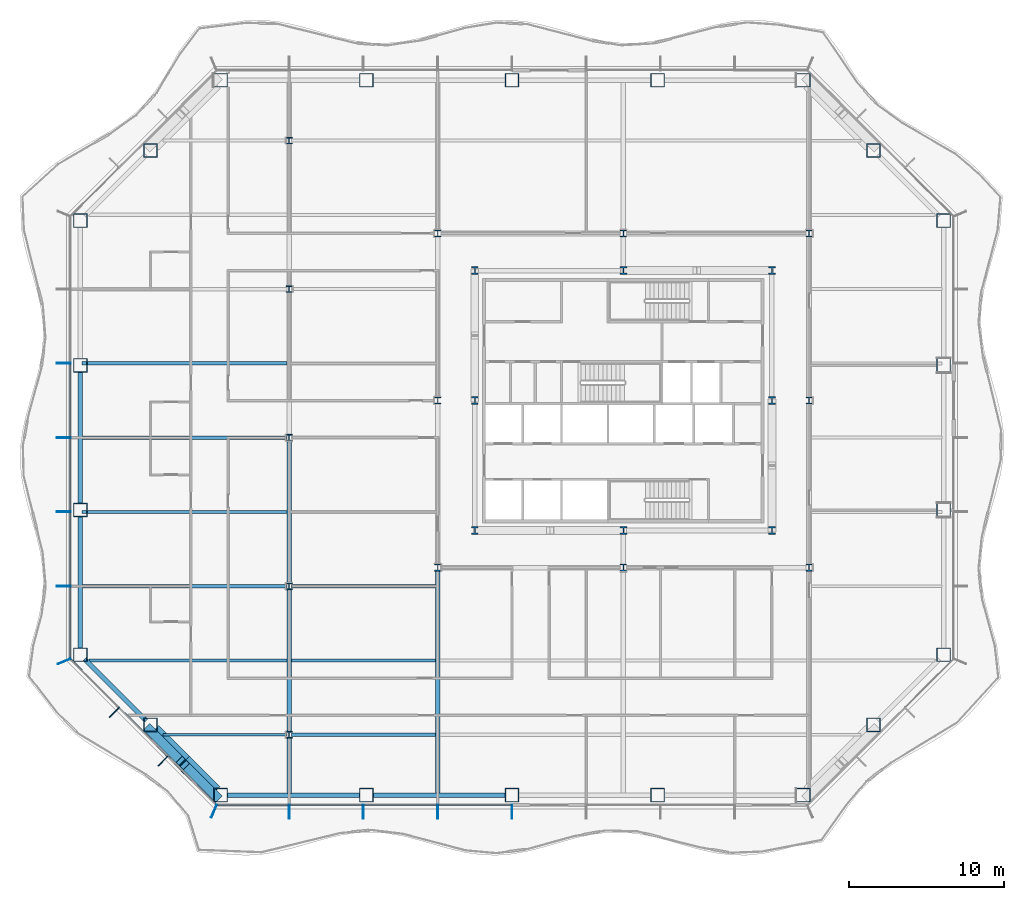
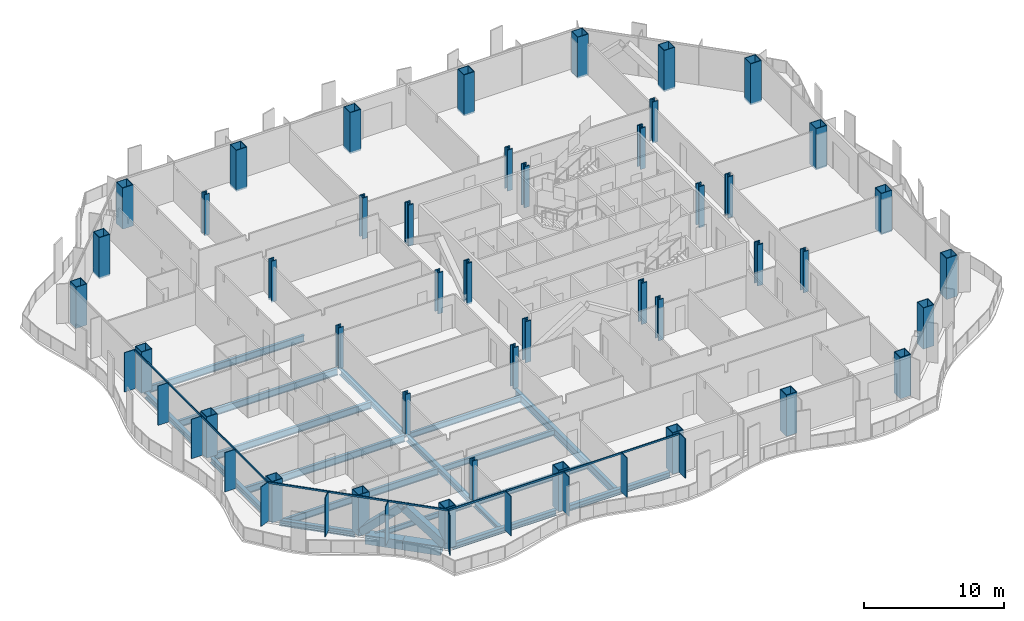
# One storey, part 1 of 18: 43 columns, 25 members, 20 beams, 3 elements without a shape of their own.
"""IFC4 building model written with IfcOpenShell, lengths in metres."""

from ifc_helpers import new_model, si_unit, direction, frame, origin, origin_2d, place, context, subcontext, project, spatial, rectangle, hollow_rectangle, i_section, extrude, material, material_profile, profile_set, type_object, element, aggregate, save


model = new_model("IFC4")

# Units and contexts
model_context = context("Model", 3, precision=1e-05, world=origin(), true_north=direction((0.0, 1.0)))
body_context = subcontext(model_context, "Body", "Model", "MODEL_VIEW")
ifc_project = project(units=[si_unit("LENGTHUNIT", "METRE"), si_unit("AREAUNIT", "SQUARE_METRE"), si_unit("VOLUMEUNIT", "CUBIC_METRE"), si_unit("PLANEANGLEUNIT", "RADIAN"), si_unit("MASSUNIT", "GRAM", prefix="KILO")], contexts=[model_context])

# Site, building, storey
site_placement = place(None, origin())
site = spatial("IfcSite", under=ifc_project, at=site_placement, CompositionType="ELEMENT")
building_placement = place(site_placement, origin())
building = spatial("IfcBuilding", under=site, at=building_placement, Name="Cairn Pilgrim Tower", CompositionType="ELEMENT")
storey_placement = place(building_placement, frame((0.0, 0.0, 76.199951171875)))
storey = spatial("IfcBuildingStorey", under=building, at=storey_placement, Name="L17", CompositionType="ELEMENT", Elevation=76.199951171875)

# Columns
ifc_material_1 = material(Name="Structural steel S460M", Category="steel")
ifc_material_profile_1 = material_profile(ifc_material_1, hollow_rectangle(XDim=0.89990234375, YDim=0.89990234375, WallThickness=0.050048828125, at=origin_2d()), Name="BOX 900x900x50")
ifc_profile_set_1 = profile_set([ifc_material_profile_1], Name="Structural steel S460M")
column_type_1 = type_object("IfcColumnType", Name="BOX 900x900x50", PredefinedType="COLUMN", material=ifc_profile_set_1)
for number, where, z_axis, x_axis, name in (
    (1, (-18.8271484375, -23.10009765625, -0.14990234375), (0.0, 0.0, 1.0), (1.0, 0.0, 0.0), "PC1-S1"),
    (2, (-9.41357421875, -23.10009765625, -0.14990234375), (0.0, 0.0, 1.0), (1.0, 0.0, 0.0), "PC1-S2"),
    (3, (0.0, -23.10009765625, -0.14990234375), (0.0, 0.0, 1.0), (1.0, 0.0, 0.0), "PC1-S3"),
    (4, (9.41357421875, -23.10009765625, -0.14990234375), (0.0, 0.0, 1.0), (1.0, 0.0, 0.0), "PC1-S4"),
    (5, (18.8271484375, -23.10009765625, -0.14990234375), (0.0, 0.0, 1.0), (1.0, 0.0, 0.0), "PC1-SE1"),
    (6, (23.363525390625, -18.563720703125, -0.14990234375), (0.0, 0.0, 1.0), (1.0, 0.0, 0.0), "PC1-SE2"),
    (7, (27.89990234375, -14.027099609375, -0.14990234375), (0.0, 0.0, 1.0), (1.0, 0.0, 0.0), "PC1-E1"),
    (8, (27.89990234375, -4.67578125, -0.14990234375), (0.0, 0.0, 1.0), (1.0, 0.0, 0.0), "PC1-E2"),
    (9, (27.89990234375, 4.67578125, -0.14990234375), (0.0, 0.0, 1.0), (1.0, 0.0, 0.0), "PC1-E3"),
    (10, (27.89990234375, 14.027099609375, -0.14990234375), (0.0, 0.0, 1.0), (1.0, 0.0, 0.0), "PC1-NE1"),
    (11, (23.363525390625, 18.563720703125, -0.14990234375), (0.0, 0.0, 1.0), (1.0, 0.0, 0.0), "PC1-NE2"),
    (12, (18.8271484375, 23.10009765625, -0.14990234375), (0.0, 0.0, 1.0), (1.0, 0.0, 0.0), "PC1-N1"),
    (13, (9.41357421875, 23.10009765625, -0.14990234375), (0.0, 0.0, 1.0), (1.0, 0.0, 0.0), "PC1-N2"),
    (14, (0.0, 23.10009765625, -0.14990234375), (0.0, 0.0, 1.0), (1.0, 0.0, 0.0), "PC1-N3"),
    (15, (-9.41357421875, 23.10009765625, -0.14990234375), (0.0, 0.0, 1.0), (1.0, 0.0, 0.0), "PC1-N4"),
    (16, (-18.8271484375, 23.10009765625, -0.14990234375), (0.0, 0.0, 1.0), (1.0, 0.0, 0.0), "PC1-NW1"),
    (17, (-23.363525390625, 18.563720703125, -0.14990234375), (0.0, 0.0, 1.0), (1.0, 0.0, 0.0), "PC1-NW2"),
    (18, (-27.89990234375, 14.027099609375, -0.14990234375), (0.0, 0.0, 1.0), (1.0, 0.0, 0.0), "PC1-W1"),
    (19, (-27.89990234375, 4.67578125, -0.14990234375), (0.0, 0.0, 1.0), (1.0, 0.0, 0.0), "PC1-W2"),
    (20, (-27.89990234375, -4.67578125, -0.14990234375), (0.0, 0.0, 1.0), (1.0, 0.0, 0.0), "PC1-W3"),
    (21, (-27.89990234375, -14.027099609375, -0.14990234375), (0.0, 0.0, 1.0), (1.0, 0.0, 0.0), "PC1-SW1"),
    (22, (-23.363525390625, -18.563720703125, -0.14990234375), (0.0, 0.0, 1.0), (1.0, 0.0, 0.0), "PC1-SW2"),
):
    element("IfcColumn", number, at=place(storey_placement, frame(where, z_axis=z_axis, x_axis=x_axis)), inside=storey, type_object=column_type_1, Name=name, PredefinedType="COLUMN", context=body_context, shape_type="SweptSolid", body=[
        extrude(hollow_rectangle(XDim=0.89990234375, YDim=0.89990234375, WallThickness=0.050048828125, at=origin_2d()), origin(), (0.0, 0.0, 1.0), 3.599853515625),
    ])
ifc_material_profile_2 = material_profile(ifc_material_1, i_section(OverallWidth=0.408935546875, OverallDepth=0.425048828125, WebThickness=0.03271484375, FlangeThickness=0.052490234375, FilletRadius=0.014892578125, at=origin_2d()), Name="HD 400x421")
ifc_profile_set_2 = profile_set([ifc_material_profile_2], Name="Structural steel S460M")
column_type_2 = type_object("IfcColumnType", Name="HD 400x421", PredefinedType="COLUMN", material=ifc_profile_set_2)
for number, where, z_axis, x_axis, name in (
    (23, (-14.39990234375, -19.199951171875, -0.14990234375), (0.0, 0.0, 1.0), (1.0, 0.0, 0.0), "WC-WW-4"),
    (24, (-14.39990234375, -9.60009765625, -0.14990234375), (0.0, 0.0, 1.0), (1.0, 0.0, 0.0), "WC-WW-2"),
    (25, (-14.39990234375, 0.0, -0.14990234375), (0.0, 0.0, 1.0), (1.0, 0.0, 0.0), "WC-WW+0"),
    (26, (-14.39990234375, 9.60009765625, -0.14990234375), (0.0, 0.0, 1.0), (1.0, 0.0, 0.0), "WC-WW+2"),
    (27, (-14.39990234375, 19.199951171875, -0.14990234375), (0.0, 0.0, 1.0), (1.0, 0.0, 0.0), "WC-WW+4"),
):
    element("IfcColumn", number, at=place(storey_placement, frame(where, z_axis=z_axis, x_axis=x_axis)), inside=storey, type_object=column_type_2, Name=name, PredefinedType="COLUMN", context=body_context, shape_type="SweptSolid", body=[
        extrude(i_section(OverallWidth=0.408935546875, OverallDepth=0.425048828125, WebThickness=0.03271484375, FlangeThickness=0.052490234375, FilletRadius=0.014892578125, at=origin_2d()), origin(), (0.0, 0.0, 1.0), 3.599853515625),
    ])
ifc_material_profile_3 = material_profile(ifc_material_1, i_section(OverallWidth=0.424072265625, OverallDepth=0.47412109375, WebThickness=0.047607421875, FlangeThickness=0.0771484375, FilletRadius=0.014892578125, at=origin_2d()), Name="HD 400x634")
ifc_profile_set_3 = profile_set([ifc_material_profile_3], Name="Structural steel S460M")
column_type_3 = type_object("IfcColumnType", Name="HD 400x634", PredefinedType="COLUMN", material=ifc_profile_set_3)
for number, where, z_axis, x_axis, name in (
    (28, (-4.800048828125, -8.39990234375, -0.14990234375), (0.0, 0.0, 1.0), (1.0, 0.0, 0.0), "IC-1"),
    (29, (7.199951171875, -8.39990234375, -0.14990234375), (0.0, 0.0, 1.0), (1.0, 0.0, 0.0), "IC-2"),
    (30, (19.199951171875, -8.39990234375, -0.14990234375), (0.0, 0.0, 1.0), (1.0, 0.0, 0.0), "IC-3"),
    (31, (-4.800048828125, 2.39990234375, -0.14990234375), (0.0, 0.0, 1.0), (1.0, 0.0, 0.0), "IC-4"),
    (32, (19.199951171875, 2.39990234375, -0.14990234375), (0.0, 0.0, 1.0), (1.0, 0.0, 0.0), "IC-5"),
    (33, (-4.800048828125, 13.199951171875, -0.14990234375), (0.0, 0.0, 1.0), (1.0, 0.0, 0.0), "IC-6"),
    (34, (7.199951171875, 13.199951171875, -0.14990234375), (0.0, 0.0, 1.0), (1.0, 0.0, 0.0), "IC-7"),
    (35, (19.199951171875, 13.199951171875, -0.14990234375), (0.0, 0.0, 1.0), (1.0, 0.0, 0.0), "IC-8"),
):
    element("IfcColumn", number, at=place(storey_placement, frame(where, z_axis=z_axis, x_axis=x_axis)), inside=storey, type_object=column_type_3, Name=name, PredefinedType="COLUMN", context=body_context, shape_type="SweptSolid", body=[
        extrude(i_section(OverallWidth=0.424072265625, OverallDepth=0.47412109375, WebThickness=0.047607421875, FlangeThickness=0.0771484375, FilletRadius=0.014892578125, at=origin_2d()), origin(), (0.0, 0.0, 1.0), 3.599853515625),
    ])
ifc_material_profile_4 = material_profile(ifc_material_1, i_section(OverallWidth=0.43701171875, OverallDepth=0.513916015625, WebThickness=0.060546875, FlangeThickness=0.096923828125, FilletRadius=0.014892578125, at=origin_2d()), Name="HD 400x818")
ifc_profile_set_4 = profile_set([ifc_material_profile_4], Name="Structural steel S460M")
column_type_4 = type_object("IfcColumnType", Name="HD 400x818", PredefinedType="COLUMN", material=ifc_profile_set_4)
for number, where, z_axis, x_axis, name in (
    (36, (-2.39990234375, -6.0, -0.14990234375), (0.0, 0.0, 1.0), (1.0, 0.0, 0.0), "KC-1"),
    (37, (7.199951171875, -6.0, -0.14990234375), (0.0, 0.0, 1.0), (1.0, 0.0, 0.0), "KC-2"),
    (38, (16.800048828125, -6.0, -0.14990234375), (0.0, 0.0, 1.0), (1.0, 0.0, 0.0), "KC-3"),
    (39, (-2.39990234375, 2.39990234375, -0.14990234375), (0.0, 0.0, 1.0), (1.0, 0.0, 0.0), "KC-4"),
    (40, (16.800048828125, 2.39990234375, -0.14990234375), (0.0, 0.0, 1.0), (1.0, 0.0, 0.0), "KC-5"),
    (41, (-2.39990234375, 10.800048828125, -0.14990234375), (0.0, 0.0, 1.0), (1.0, 0.0, 0.0), "KC-6"),
    (42, (7.199951171875, 10.800048828125, -0.14990234375), (0.0, 0.0, 1.0), (1.0, 0.0, 0.0), "KC-7"),
    (43, (16.800048828125, 10.800048828125, -0.14990234375), (0.0, 0.0, 1.0), (1.0, 0.0, 0.0), "KC-8"),
):
    element("IfcColumn", number, at=place(storey_placement, frame(where, z_axis=z_axis, x_axis=x_axis)), inside=storey, type_object=column_type_4, Name=name, PredefinedType="COLUMN", context=body_context, shape_type="SweptSolid", body=[
        extrude(i_section(OverallWidth=0.43701171875, OverallDepth=0.513916015625, WebThickness=0.060546875, FlangeThickness=0.096923828125, FilletRadius=0.014892578125, at=origin_2d()), origin(), (0.0, 0.0, 1.0), 3.599853515625),
    ])

# Members
ifc_material_profile_5 = material_profile(ifc_material_1, hollow_rectangle(XDim=0.60009765625, YDim=0.60009765625, WallThickness=0.034912109375, at=origin_2d()), Name="BOX 600x600x35")
ifc_profile_set_5 = profile_set([ifc_material_profile_5], Name="Structural steel S460M")
member_type_1 = type_object("IfcMemberType", Name="BOX 600x600x35 BRACE", PredefinedType="BRACE", material=ifc_profile_set_5)
for number, where, z_axis, x_axis, name in (
    (44, (-23.4873046875, -18.814697265625, 0.150146484375), (0.528960912345, -0.52889942671, 0.663675937214), (0.70706568108, 0.707147878904, 0.0), "XB-SW2-S1-1"),
    (45, (-19.078125, -23.2236328125, 0.150146484375), (-0.528943710525, 0.528943710525, 0.663654354459), (-0.707106781187, -0.707106781187, 0.0), "XB-SW2-S1-2"),
):
    element("IfcMember", number, at=place(storey_placement, frame(where, z_axis=z_axis, x_axis=x_axis)), inside=storey, type_object=member_type_1, Name=name, PredefinedType="BRACE", context=body_context, shape_type="SweptSolid", body=[
        extrude(hollow_rectangle(XDim=0.60009765625, YDim=0.60009765625, WallThickness=0.034912109375, at=origin_2d()), origin(), (0.0, 0.0, 1.0), 3.970703125),
    ])

# Beams
ifc_material_2 = material(Name="Structural steel S355J2", Category="steel")
ifc_material_profile_6 = material_profile(ifc_material_2, hollow_rectangle(XDim=0.699951171875, YDim=0.800048828125, WallThickness=0.0400390625, at=origin_2d()), Name="BOX 700x800x40")
ifc_profile_set_6 = profile_set([ifc_material_profile_6], Name="Structural steel S355J2")
beam_type_1 = type_object("IfcBeamType", Name="BOX 700x800x40 RING GIRDER", PredefinedType="SPANDREL", material=ifc_profile_set_6)
beam_1_placement = place(storey_placement, frame((-23.0771484375, -18.85009765625, -0.550048828125), z_axis=(0.707106781187, -0.707106781187, 0.0), x_axis=(0.707106781187, 0.707106781187, 0.0)))
element("IfcBeam", 46, at=beam_1_placement, inside=storey, type_object=beam_type_1, Name="RG1-SW2-S1-1", PredefinedType="SPANDREL", context=body_context, shape_type="SweptSolid", body=[
    extrude(hollow_rectangle(XDim=0.699951171875, YDim=0.800048828125, WallThickness=0.0400390625, at=origin_2d()), origin(), (0.0, 0.0, 1.0), 2.802490234375),
])
beam_2_placement = place(storey_placement, frame((-21.095458984375, -20.831787109375, -0.550048828125), z_axis=(0.707106781187, -0.707106781187, 0.0), x_axis=(0.707106781187, 0.707106781187, 0.0)))
element("IfcBeam", 47, at=beam_2_placement, inside=storey, type_object=beam_type_1, Name="RG1-SW2-S1-2", PredefinedType="SPANDREL", context=body_context, shape_type="SweptSolid", body=[
    extrude(hollow_rectangle(XDim=0.699951171875, YDim=0.800048828125, WallThickness=0.0400390625, at=origin_2d()), origin(), (0.0, 0.0, 1.0), 2.802978515625),
])

# Curtain wall, members
ifc_material_3 = material(Name="Aluminium alloy 6063-T6 bronze anodised with Bronze tinted laminated low-E glass 8+16+8.8", Category="aluminium")
curtain_wall_type_1 = type_object("IfcCurtainWallType", Name="TOWER STICK CURTAIN WALL NS", PredefinedType="NOTDEFINED", material=ifc_material_3)
curtain_wall_1_placement = place(storey_placement, origin())
curtain_wall_1 = element("IfcCurtainWall", 48, at=curtain_wall_1_placement, inside=storey, type_object=curtain_wall_type_1, Name="Tower Stick Curtain Wall Ns S", PredefinedType="NOTDEFINED")
ifc_material_4 = material(Name="Aluminium alloy 6063-T6 bronze anodised", Category="aluminium")
ifc_material_profile_7 = material_profile(ifc_material_4, rectangle(XDim=0.89990234375, YDim=0.06005859375, at=origin_2d()), Name="FIN MULLION 60x900 BRONZE")
ifc_profile_set_7 = profile_set([ifc_material_profile_7], Name="Aluminium alloy 6063-T6 bronze anodised")
member_type_2 = type_object("IfcMemberType", Name="FIN MULLION 60x900 BRONZE", PredefinedType="MULLION", material=ifc_profile_set_7)
member_1_placement = place(storey_placement, frame((-19.257080078125, -24.137939453125, 0.0), z_axis=(0.0, 0.0, 1.0), x_axis=(-0.382683432365, -0.923879532511, 0.0)))
member_1 = element("IfcMember", 49, at=member_1_placement, type_object=member_type_2, Name="Fin mullion S1", PredefinedType="MULLION", context=body_context, shape_type="SweptSolid", body=[
    extrude(rectangle(XDim=0.89990234375, YDim=0.06005859375, at=origin_2d()), origin(), (0.0, 0.0, 1.0), 3.449951171875),
])
member_2_placement = place(storey_placement, frame((-14.39990234375, -24.169921875, 0.0), z_axis=(0.0, 0.0, 1.0), x_axis=(0.0, -1.0, 0.0)))
member_2 = element("IfcMember", 50, at=member_2_placement, type_object=member_type_2, Name="Fin mullion S2", PredefinedType="MULLION", context=body_context, shape_type="SweptSolid", body=[
    extrude(rectangle(XDim=0.89990234375, YDim=0.06005859375, at=origin_2d()), origin(), (0.0, 0.0, 1.0), 3.449951171875),
])
member_3_placement = place(storey_placement, frame((-9.60009765625, -24.169921875, 0.0), z_axis=(0.0, 0.0, 1.0), x_axis=(0.0, -1.0, 0.0)))
member_3 = element("IfcMember", 51, at=member_3_placement, type_object=member_type_2, Name="Fin mullion S3", PredefinedType="MULLION", context=body_context, shape_type="SweptSolid", body=[
    extrude(rectangle(XDim=0.89990234375, YDim=0.06005859375, at=origin_2d()), origin(), (0.0, 0.0, 1.0), 3.449951171875),
])
member_4_placement = place(storey_placement, frame((-4.800048828125, -24.169921875, 0.0), z_axis=(0.0, 0.0, 1.0), x_axis=(0.0, -1.0, 0.0)))
member_4 = element("IfcMember", 52, at=member_4_placement, type_object=member_type_2, Name="Fin mullion S4", PredefinedType="MULLION", context=body_context, shape_type="SweptSolid", body=[
    extrude(rectangle(XDim=0.89990234375, YDim=0.06005859375, at=origin_2d()), origin(), (0.0, 0.0, 1.0), 3.449951171875),
])
member_5_placement = place(storey_placement, frame((0.0, -24.169921875, 0.0), z_axis=(0.0, 0.0, 1.0), x_axis=(0.0, -1.0, 0.0)))
member_5 = element("IfcMember", 53, at=member_5_placement, type_object=member_type_2, Name="Fin mullion S5", PredefinedType="MULLION", context=body_context, shape_type="SweptSolid", body=[
    extrude(rectangle(XDim=0.89990234375, YDim=0.06005859375, at=origin_2d()), origin(), (0.0, 0.0, 1.0), 3.449951171875),
])

curtain_wall_type_2 = type_object("IfcCurtainWallType", Name="TOWER STICK CURTAIN WALL EW", PredefinedType="NOTDEFINED", material=ifc_material_3)
curtain_wall_2_placement = place(storey_placement, origin())
curtain_wall_2 = element("IfcCurtainWall", 54, at=curtain_wall_2_placement, inside=storey, type_object=curtain_wall_type_2, Name="Tower Stick Curtain Wall Ew W", PredefinedType="NOTDEFINED")
member_6_placement = place(storey_placement, frame((-28.969970703125, 4.800048828125, 0.0), z_axis=(0.0, 0.0, 1.0), x_axis=(-1.0, 0.0, 0.0)))
member_6 = element("IfcMember", 55, at=member_6_placement, type_object=member_type_2, Name="Fin mullion W3", PredefinedType="MULLION", context=body_context, shape_type="SweptSolid", body=[
    extrude(rectangle(XDim=0.89990234375, YDim=0.06005859375, at=origin_2d()), origin(), (0.0, 0.0, 1.0), 3.449951171875),
])
member_7_placement = place(storey_placement, frame((-28.969970703125, 0.0, 0.0), z_axis=(0.0, 0.0, 1.0), x_axis=(-1.0, 0.0, 0.0)))
member_7 = element("IfcMember", 56, at=member_7_placement, type_object=member_type_2, Name="Fin mullion W4", PredefinedType="MULLION", context=body_context, shape_type="SweptSolid", body=[
    extrude(rectangle(XDim=0.89990234375, YDim=0.06005859375, at=origin_2d()), origin(), (0.0, 0.0, 1.0), 3.449951171875),
])
member_8_placement = place(storey_placement, frame((-28.969970703125, -4.800048828125, 0.0), z_axis=(0.0, 0.0, 1.0), x_axis=(-1.0, 0.0, 0.0)))
member_8 = element("IfcMember", 57, at=member_8_placement, type_object=member_type_2, Name="Fin mullion W5", PredefinedType="MULLION", context=body_context, shape_type="SweptSolid", body=[
    extrude(rectangle(XDim=0.89990234375, YDim=0.06005859375, at=origin_2d()), origin(), (0.0, 0.0, 1.0), 3.449951171875),
])
member_9_placement = place(storey_placement, frame((-28.969970703125, -9.60009765625, 0.0), z_axis=(0.0, 0.0, 1.0), x_axis=(-1.0, 0.0, 0.0)))
member_9 = element("IfcMember", 58, at=member_9_placement, type_object=member_type_2, Name="Fin mullion W6", PredefinedType="MULLION", context=body_context, shape_type="SweptSolid", body=[
    extrude(rectangle(XDim=0.89990234375, YDim=0.06005859375, at=origin_2d()), origin(), (0.0, 0.0, 1.0), 3.449951171875),
])

curtain_wall_type_3 = type_object("IfcCurtainWallType", Name="CHAMFER CORNER CURTAIN WALL", PredefinedType="NOTDEFINED", material=ifc_material_3)
curtain_wall_3_placement = place(storey_placement, origin())
curtain_wall_3 = element("IfcCurtainWall", 59, at=curtain_wall_3_placement, inside=storey, type_object=curtain_wall_type_3, Name="Chamfer Corner Curtain Wall SW", PredefinedType="NOTDEFINED")
member_10_placement = place(storey_placement, frame((-28.93798828125, -14.457275390625, 0.0), z_axis=(0.0, 0.0, 1.0), x_axis=(-0.923879532511, -0.382683432365, 0.0)))
member_10 = element("IfcMember", 60, at=member_10_placement, type_object=member_type_2, Name="Fin mullion SW1", PredefinedType="MULLION", context=body_context, shape_type="SweptSolid", body=[
    extrude(rectangle(XDim=0.89990234375, YDim=0.06005859375, at=origin_2d()), origin(), (0.0, 0.0, 1.0), 3.449951171875),
])
member_11_placement = place(storey_placement, frame((-25.69580078125, -17.74462890625, 0.0), z_axis=(0.0, 0.0, 1.0), x_axis=(-0.707106781187, -0.707106781187, 0.0)))
member_11 = element("IfcMember", 61, at=member_11_placement, type_object=member_type_2, Name="Fin mullion SW2", PredefinedType="MULLION", context=body_context, shape_type="SweptSolid", body=[
    extrude(rectangle(XDim=0.89990234375, YDim=0.06005859375, at=origin_2d()), origin(), (0.0, 0.0, 1.0), 3.449951171875),
])
member_12_placement = place(storey_placement, frame((-22.544677734375, -20.895751953125, 0.0), z_axis=(0.0, 0.0, 1.0), x_axis=(-0.707106781187, -0.707106781187, 0.0)))
member_12 = element("IfcMember", 62, at=member_12_placement, type_object=member_type_2, Name="Fin mullion SW3", PredefinedType="MULLION", context=body_context, shape_type="SweptSolid", body=[
    extrude(rectangle(XDim=0.89990234375, YDim=0.06005859375, at=origin_2d()), origin(), (0.0, 0.0, 1.0), 3.449951171875),
])

# Beams
ifc_material_profile_8 = material_profile(ifc_material_2, i_section(OverallWidth=0.300048828125, OverallDepth=0.39990234375, WebThickness=0.013427734375, FlangeThickness=0.02392578125, FilletRadius=0.027099609375, at=origin_2d()), Name="HEB 400")
ifc_profile_set_8 = profile_set([ifc_material_profile_8], Name="Structural steel S355J2")
beam_type_2 = type_object("IfcBeamType", Name="HEB 400 GIRDER", PredefinedType="BEAM", material=ifc_profile_set_8)
beam_3_placement = place(storey_placement, frame((-14.39990234375, -22.97998046875, -0.349853515625), z_axis=(0.0, 1.0, 0.0), x_axis=(-1.0, 0.0, 0.0)))
element("IfcBeam", 63, at=beam_3_placement, inside=storey, type_object=beam_type_2, Name="PG1-1", PredefinedType="BEAM", context=body_context, shape_type="SweptSolid", body=[
    extrude(i_section(OverallWidth=0.300048828125, OverallDepth=0.39990234375, WebThickness=0.013427734375, FlangeThickness=0.02392578125, FilletRadius=0.027099609375, at=origin_2d()), origin(), (0.0, 0.0, 1.0), 3.575439453125),
])
ifc_material_profile_9 = material_profile(ifc_material_2, i_section(OverallWidth=0.300048828125, OverallDepth=0.5, WebThickness=0.014404296875, FlangeThickness=0.028076171875, FilletRadius=0.027099609375, at=origin_2d()), Name="HEB 500")
ifc_profile_set_9 = profile_set([ifc_material_profile_9], Name="Structural steel S355J2")
beam_type_3 = type_object("IfcBeamType", Name="HEB 500 GIRDER", PredefinedType="BEAM", material=ifc_profile_set_9)
beam_4_placement = place(storey_placement, frame((-14.39990234375, -18.99560546875, -0.39990234375), z_axis=(0.0, 1.0, 0.0), x_axis=(-1.0, 0.0, 0.0)))
element("IfcBeam", 64, at=beam_4_placement, inside=storey, type_object=beam_type_3, Name="PG1-2", PredefinedType="BEAM", context=body_context, shape_type="SweptSolid", body=[
    extrude(i_section(OverallWidth=0.300048828125, OverallDepth=0.5, WebThickness=0.014404296875, FlangeThickness=0.028076171875, FilletRadius=0.027099609375, at=origin_2d()), origin(), (0.0, 0.0, 1.0), 9.191162109375),
])
beam_5_placement = place(storey_placement, frame((-14.39990234375, -9.3955078125, -0.39990234375), z_axis=(0.0, 1.0, 0.0), x_axis=(-1.0, 0.0, 0.0)))
element("IfcBeam", 65, at=beam_5_placement, inside=storey, type_object=beam_type_3, Name="PG1-3", PredefinedType="BEAM", context=body_context, shape_type="SweptSolid", body=[
    extrude(i_section(OverallWidth=0.300048828125, OverallDepth=0.5, WebThickness=0.014404296875, FlangeThickness=0.028076171875, FilletRadius=0.027099609375, at=origin_2d()), origin(), (0.0, 0.0, 1.0), 9.19091796875),
])
ifc_material_profile_10 = material_profile(ifc_material_2, i_section(OverallWidth=0.300048828125, OverallDepth=0.5, WebThickness=0.014404296875, FlangeThickness=0.028076171875, FilletRadius=0.027099609375, at=origin_2d()), Name="HEB 500")
ifc_profile_set_10 = profile_set([ifc_material_profile_10], Name="Structural steel S355J2")
beam_type_4 = type_object("IfcBeamType", Name="HEB 500 RING GIRDER", PredefinedType="SPANDREL", material=ifc_profile_set_10)
for number, where, z_axis, x_axis, name in (
    (66, (-18.422119140625, -23.10009765625, -0.39990234375), (1.0, 0.0, 0.0), (0.0, 1.0, 0.0), "RG1-S1-S2"),
    (67, (-9.008544921875, -23.10009765625, -0.39990234375), (1.0, 0.0, 0.0), (0.0, 1.0, 0.0), "RG1-S2-S3"),
):
    element("IfcBeam", number, at=place(storey_placement, frame(where, z_axis=z_axis, x_axis=x_axis)), inside=storey, type_object=beam_type_4, Name=name, PredefinedType="SPANDREL", context=body_context, shape_type="SweptSolid", body=[
        extrude(i_section(OverallWidth=0.300048828125, OverallDepth=0.5, WebThickness=0.014404296875, FlangeThickness=0.028076171875, FilletRadius=0.027099609375, at=origin_2d()), origin(), (0.0, 0.0, 1.0), 8.603515625),
    ])
for number, where, z_axis, x_axis, name in (
    (68, (-27.89990234375, 4.270751953125, -0.39990234375), (0.0, -1.0, 0.0), (1.0, 0.0, 0.0), "RG1-W2-W3"),
    (69, (-27.89990234375, -5.080810546875, -0.39990234375), (0.0, -1.0, 0.0), (1.0, 0.0, 0.0), "RG1-W3-SW1"),
):
    element("IfcBeam", number, at=place(storey_placement, frame(where, z_axis=z_axis, x_axis=x_axis)), inside=storey, type_object=beam_type_4, Name=name, PredefinedType="SPANDREL", context=body_context, shape_type="SweptSolid", body=[
        extrude(i_section(OverallWidth=0.300048828125, OverallDepth=0.5, WebThickness=0.014404296875, FlangeThickness=0.028076171875, FilletRadius=0.027099609375, at=origin_2d()), origin(), (0.0, 0.0, 1.0), 8.54150390625),
    ])
beam_6_placement = place(storey_placement, frame((-27.613525390625, -14.313720703125, -0.39990234375), z_axis=(0.707128558756, -0.707085002947, 0.0), x_axis=(0.707085002947, 0.707128558756, 0.0)))
element("IfcBeam", 70, at=beam_6_placement, inside=storey, type_object=beam_type_4, Name="RG1-SW1-SW2", PredefinedType="SPANDREL", context=body_context, shape_type="SweptSolid", body=[
    extrude(i_section(OverallWidth=0.300048828125, OverallDepth=0.5, WebThickness=0.014404296875, FlangeThickness=0.028076171875, FilletRadius=0.027099609375, at=origin_2d()), origin(), (0.0, 0.0, 1.0), 5.605224609375),
])
ifc_material_profile_11 = material_profile(ifc_material_2, i_section(OverallWidth=0.300048828125, OverallDepth=0.699951171875, WebThickness=0.01708984375, FlangeThickness=0.031982421875, FilletRadius=0.027099609375, at=origin_2d()), Name="HEB 700")
ifc_profile_set_11 = profile_set([ifc_material_profile_11], Name="Structural steel S355J2")
beam_type_5 = type_object("IfcBeamType", Name="HEB 700 GIRDER", PredefinedType="BEAM", material=ifc_profile_set_11)
beam_7_placement = place(storey_placement, frame((-4.800048828125, -22.97998046875, -0.5), z_axis=(0.0, 1.0, 0.0), x_axis=(-1.0, 0.0, 0.0)))
element("IfcBeam", 71, at=beam_7_placement, inside=storey, type_object=beam_type_5, Name="PG2-1", PredefinedType="BEAM", context=body_context, shape_type="SweptSolid", body=[
    extrude(i_section(OverallWidth=0.300048828125, OverallDepth=0.699951171875, WebThickness=0.01708984375, FlangeThickness=0.031982421875, FilletRadius=0.027099609375, at=origin_2d()), origin(), (0.0, 0.0, 1.0), 14.367919921875),
])
ifc_material_profile_12 = material_profile(ifc_material_2, i_section(OverallWidth=0.18994140625, OverallDepth=0.449951171875, WebThickness=0.009521484375, FlangeThickness=0.0146484375, FilletRadius=0.02099609375, at=origin_2d()), Name="IPE 450")
ifc_profile_set_12 = profile_set([ifc_material_profile_12], Name="Structural steel S355J2")
beam_type_6 = type_object("IfcBeamType", Name="IPE 450 SECONDARY BEAM", PredefinedType="JOIST", material=ifc_profile_set_12)
beam_8_placement = place(storey_placement, frame((-22.545166015625, -19.199951171875, -0.375), z_axis=(1.0, 0.0, 0.0), x_axis=(0.0, 1.0, 0.0)))
element("IfcBeam", 72, at=beam_8_placement, inside=storey, type_object=beam_type_6, Name="SB1-1", PredefinedType="JOIST", context=body_context, shape_type="SweptSolid", body=[
    extrude(i_section(OverallWidth=0.18994140625, OverallDepth=0.449951171875, WebThickness=0.009521484375, FlangeThickness=0.0146484375, FilletRadius=0.02099609375, at=origin_2d()), origin(), (0.0, 0.0, 1.0), 7.9951171875),
])
ifc_material_profile_13 = material_profile(ifc_material_2, i_section(OverallWidth=0.199951171875, OverallDepth=0.5, WebThickness=0.01025390625, FlangeThickness=0.01611328125, FilletRadius=0.02099609375, at=origin_2d()), Name="IPE 500")
ifc_profile_set_13 = profile_set([ifc_material_profile_13], Name="Structural steel S355J2")
beam_type_7 = type_object("IfcBeamType", Name="IPE 500 SECONDARY BEAM", PredefinedType="JOIST", material=ifc_profile_set_13)
for number, where, z_axis, x_axis, name in (
    (73, (-14.25, -19.199951171875, -0.39990234375), (1.0, 0.0, 0.0), (0.0, 1.0, 0.0), "SB1-2"),
    (74, (-14.25, -14.39990234375, -0.39990234375), (1.0, 0.0, 0.0), (0.0, 1.0, 0.0), "SB2-2"),
    (75, (-14.25, -9.60009765625, -0.39990234375), (1.0, 0.0, 0.0), (0.0, 1.0, 0.0), "SB3-2"),
):
    element("IfcBeam", number, at=place(storey_placement, frame(where, z_axis=z_axis, x_axis=x_axis)), inside=storey, type_object=beam_type_7, Name=name, PredefinedType="JOIST", context=body_context, shape_type="SweptSolid", body=[
        extrude(i_section(OverallWidth=0.199951171875, OverallDepth=0.5, WebThickness=0.01025390625, FlangeThickness=0.01611328125, FilletRadius=0.02099609375, at=origin_2d()), origin(), (0.0, 0.0, 1.0), 9.300048828125),
    ])
ifc_material_profile_14 = material_profile(ifc_material_2, i_section(OverallWidth=0.219970703125, OverallDepth=0.60009765625, WebThickness=0.011962890625, FlangeThickness=0.01904296875, FilletRadius=0.02392578125, at=origin_2d()), Name="IPE 600")
ifc_profile_set_14 = profile_set([ifc_material_profile_14], Name="Structural steel S355J2")
beam_type_8 = type_object("IfcBeamType", Name="IPE 600 SECONDARY BEAM", PredefinedType="JOIST", material=ifc_profile_set_14)
beam_9_placement = place(storey_placement, frame((-27.34521484375, -14.39990234375, -0.449951171875), z_axis=(1.0, 0.0, 0.0), x_axis=(0.0, 1.0, 0.0)))
element("IfcBeam", 76, at=beam_9_placement, inside=storey, type_object=beam_type_8, Name="SB2-1", PredefinedType="JOIST", context=body_context, shape_type="SweptSolid", body=[
    extrude(i_section(OverallWidth=0.219970703125, OverallDepth=0.60009765625, WebThickness=0.011962890625, FlangeThickness=0.01904296875, FilletRadius=0.02392578125, at=origin_2d()), origin(), (0.0, 0.0, 1.0), 12.795166015625),
])
for number, where, z_axis, x_axis, name in (
    (77, (-27.780029296875, -9.60009765625, -0.449951171875), (1.0, 0.0, 0.0), (0.0, 1.0, 0.0), "SB3-1"),
    (78, (-27.780029296875, -4.800048828125, -0.449951171875), (1.0, 0.0, 0.0), (0.0, 1.0, 0.0), "SB4-1"),
    (79, (-27.780029296875, 0.0, -0.449951171875), (1.0, 0.0, 0.0), (0.0, 1.0, 0.0), "SB5-1"),
    (80, (-27.780029296875, 4.800048828125, -0.449951171875), (1.0, 0.0, 0.0), (0.0, 1.0, 0.0), "SB6-1"),
):
    element("IfcBeam", number, at=place(storey_placement, frame(where, z_axis=z_axis, x_axis=x_axis)), inside=storey, type_object=beam_type_8, Name=name, PredefinedType="JOIST", context=body_context, shape_type="SweptSolid", body=[
        extrude(i_section(OverallWidth=0.219970703125, OverallDepth=0.60009765625, WebThickness=0.011962890625, FlangeThickness=0.01904296875, FilletRadius=0.02392578125, at=origin_2d()), origin(), (0.0, 0.0, 1.0), 13.22998046875),
    ])

# Member
ifc_material_profile_15 = material_profile(ifc_material_4, rectangle(XDim=0.080078125, YDim=0.14990234375, at=origin_2d()), Name="TRANSOM 80x150 BRONZE")
ifc_profile_set_15 = profile_set([ifc_material_profile_15], Name="Aluminium alloy 6063-T6 bronze anodised")
member_type_3 = type_object("IfcMemberType", Name="TRANSOM 80x150 BRONZE", PredefinedType="USERDEFINED", material=ifc_profile_set_15)
member_13_placement = place(storey_placement, frame((-19.056396484375, -23.75, 3.375), z_axis=(1.0, 0.0, 0.0), x_axis=(0.0, 1.0, 0.0)))
member_13 = element("IfcMember", 81, at=member_13_placement, type_object=member_type_3, Name="Transom S1", ObjectType="TRANSOM", PredefinedType="USERDEFINED", context=body_context, shape_type="SweptSolid", body=[
    extrude(rectangle(XDim=0.080078125, YDim=0.14990234375, at=origin_2d()), origin(), (0.0, 0.0, 1.0), 4.62646484375),
])

member_14_placement = place(storey_placement, frame((-14.3701171875, -23.75, 3.375), z_axis=(1.0, 0.0, 0.0), x_axis=(0.0, 1.0, 0.0)))
member_14 = element("IfcMember", 82, at=member_14_placement, type_object=member_type_3, Name="Transom S2", ObjectType="TRANSOM", PredefinedType="USERDEFINED", context=body_context, shape_type="SweptSolid", body=[
    extrude(rectangle(XDim=0.080078125, YDim=0.14990234375, at=origin_2d()), origin(), (0.0, 0.0, 1.0), 4.740234375),
])

member_15_placement = place(storey_placement, frame((-9.570068359375, -23.75, 3.375), z_axis=(1.0, 0.0, 0.0), x_axis=(0.0, 1.0, 0.0)))
member_15 = element("IfcMember", 83, at=member_15_placement, type_object=member_type_3, Name="Transom S3", ObjectType="TRANSOM", PredefinedType="USERDEFINED", context=body_context, shape_type="SweptSolid", body=[
    extrude(rectangle(XDim=0.080078125, YDim=0.14990234375, at=origin_2d()), origin(), (0.0, 0.0, 1.0), 4.739990234375),
])

member_16_placement = place(storey_placement, frame((-4.77001953125, -23.75, 3.375), z_axis=(1.0, 0.0, 0.0), x_axis=(0.0, 1.0, 0.0)))
member_16 = element("IfcMember", 84, at=member_16_placement, type_object=member_type_3, Name="Transom S4", ObjectType="TRANSOM", PredefinedType="USERDEFINED", context=body_context, shape_type="SweptSolid", body=[
    extrude(rectangle(XDim=0.080078125, YDim=0.14990234375, at=origin_2d()), origin(), (0.0, 0.0, 1.0), 4.739990234375),
])

aggregate(curtain_wall_1, [member_1, member_2, member_3, member_4, member_5, member_13, member_14, member_15, member_16])

member_17_placement = place(storey_placement, frame((-28.550048828125, 4.77001953125, 3.375), z_axis=(0.0, -1.0, 0.0), x_axis=(1.0, 0.0, 0.0)))
member_17 = element("IfcMember", 85, at=member_17_placement, type_object=member_type_3, Name="Transom W3", ObjectType="TRANSOM", PredefinedType="USERDEFINED", context=body_context, shape_type="SweptSolid", body=[
    extrude(rectangle(XDim=0.080078125, YDim=0.14990234375, at=origin_2d()), origin(), (0.0, 0.0, 1.0), 4.739990234375),
])

member_18_placement = place(storey_placement, frame((-28.550048828125, -0.030029296875, 3.375), z_axis=(0.0, -1.0, 0.0), x_axis=(1.0, 0.0, 0.0)))
member_18 = element("IfcMember", 86, at=member_18_placement, type_object=member_type_3, Name="Transom W4", ObjectType="TRANSOM", PredefinedType="USERDEFINED", context=body_context, shape_type="SweptSolid", body=[
    extrude(rectangle(XDim=0.080078125, YDim=0.14990234375, at=origin_2d()), origin(), (0.0, 0.0, 1.0), 4.739990234375),
])

member_19_placement = place(storey_placement, frame((-28.550048828125, -4.830078125, 3.375), z_axis=(0.0, -1.0, 0.0), x_axis=(1.0, 0.0, 0.0)))
member_19 = element("IfcMember", 87, at=member_19_placement, type_object=member_type_3, Name="Transom W5", ObjectType="TRANSOM", PredefinedType="USERDEFINED", context=body_context, shape_type="SweptSolid", body=[
    extrude(rectangle(XDim=0.080078125, YDim=0.14990234375, at=origin_2d()), origin(), (0.0, 0.0, 1.0), 4.739990234375),
])

member_20_placement = place(storey_placement, frame((-28.550048828125, -9.6298828125, 3.375), z_axis=(0.0, -1.0, 0.0), x_axis=(1.0, 0.0, 0.0)))
member_20 = element("IfcMember", 88, at=member_20_placement, type_object=member_type_3, Name="Transom W6", ObjectType="TRANSOM", PredefinedType="USERDEFINED", context=body_context, shape_type="SweptSolid", body=[
    extrude(rectangle(XDim=0.080078125, YDim=0.14990234375, at=origin_2d()), origin(), (0.0, 0.0, 1.0), 4.62646484375),
])

aggregate(curtain_wall_2, [member_6, member_7, member_8, member_9, member_17, member_18, member_19, member_20])

member_21_placement = place(storey_placement, frame((-28.521728515625, -14.32470703125, 3.375), z_axis=(0.707106781187, -0.707106781187, 0.0), x_axis=(0.707106781187, 0.707106781187, 0.0)))
member_21 = element("IfcMember", 89, at=member_21_placement, type_object=member_type_3, Name="Transom SW1", ObjectType="TRANSOM", PredefinedType="USERDEFINED", context=body_context, shape_type="SweptSolid", body=[
    extrude(rectangle(XDim=0.080078125, YDim=0.14990234375, at=origin_2d()), origin(), (0.0, 0.0, 1.0), 4.38671875),
])

member_22_placement = place(storey_placement, frame((-25.377685546875, -17.46875, 3.375), z_axis=(0.707106781187, -0.707106781187, 0.0), x_axis=(0.707106781187, 0.707106781187, 0.0)))
member_22 = element("IfcMember", 90, at=member_22_placement, type_object=member_type_3, Name="Transom SW2", ObjectType="TRANSOM", PredefinedType="USERDEFINED", context=body_context, shape_type="SweptSolid", body=[
    extrude(rectangle(XDim=0.080078125, YDim=0.14990234375, at=origin_2d()), origin(), (0.0, 0.0, 1.0), 4.396728515625),
])

member_23_placement = place(storey_placement, frame((-22.226318359375, -20.6201171875, 3.375), z_axis=(0.707106781187, -0.707106781187, 0.0), x_axis=(0.707106781187, 0.707106781187, 0.0)))
member_23 = element("IfcMember", 91, at=member_23_placement, type_object=member_type_3, Name="Transom SW3", ObjectType="TRANSOM", PredefinedType="USERDEFINED", context=body_context, shape_type="SweptSolid", body=[
    extrude(rectangle(XDim=0.080078125, YDim=0.14990234375, at=origin_2d()), origin(), (0.0, 0.0, 1.0), 4.38623046875),
])

aggregate(curtain_wall_3, [member_10, member_11, member_12, member_21, member_22, member_23])

save(model, "model.ifc")
